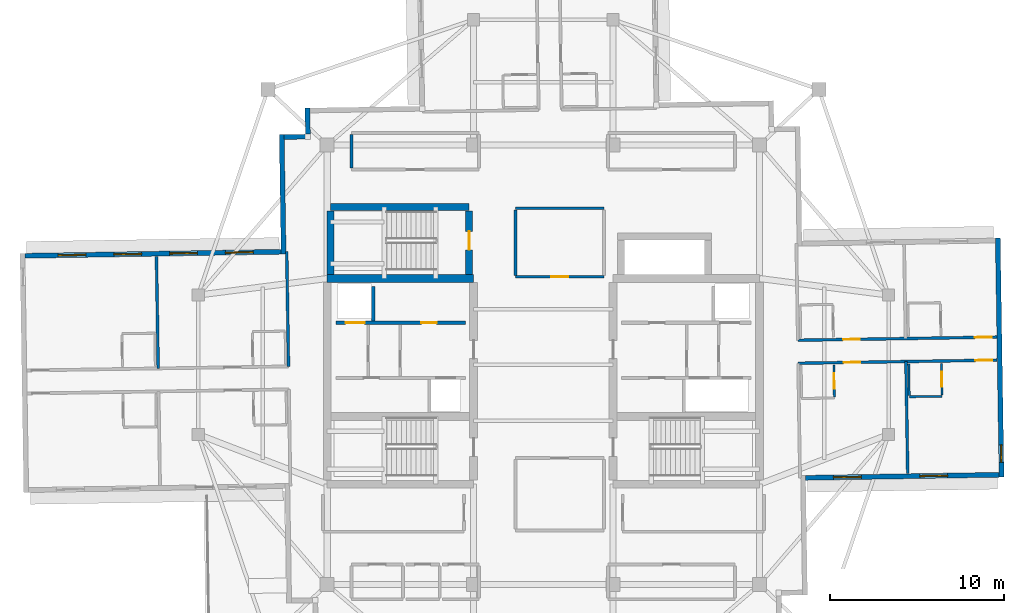
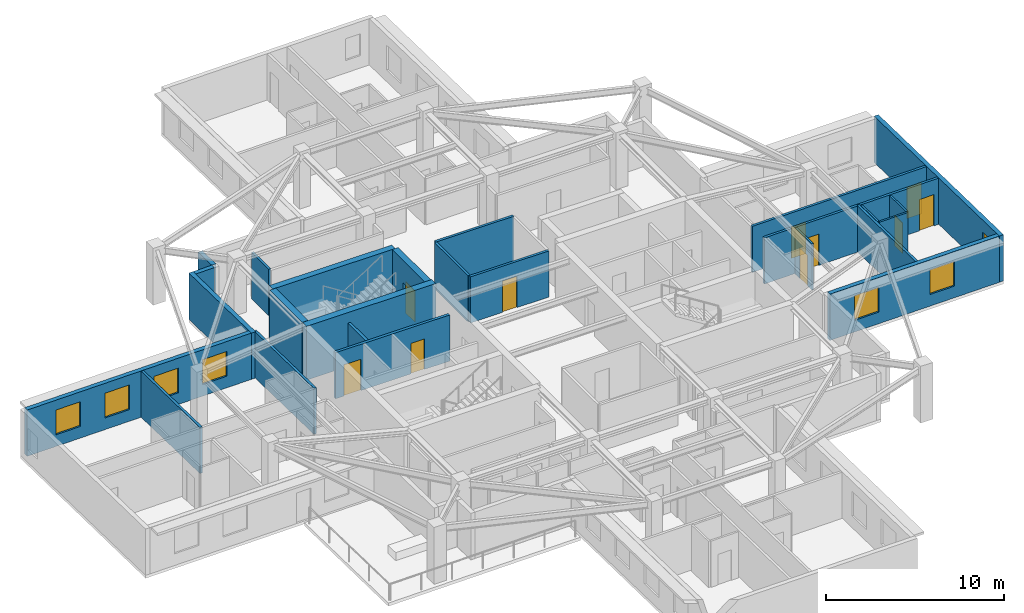
# One storey, part 6 of 12: 25 walls, 10 doors, 7 windows, 17 openings.
"""IFC4 building model written with IfcOpenShell, lengths in metres."""

import ifcopenshell
import ifcopenshell.guid

model = None  # the IFC model being written
_history = None  # IfcOwnerHistory: only IFC2X3 demands one
_inside = {}  # id of a spatial element -> (the spatial element, [elements in it])
_under = {}  # id of a project, library or spatial element -> (it, [spatial elements below it])
_declared = {}  # id of a project -> (the project, [libraries it declares])
_typed = {}  # id of a type object -> (the type object, [elements of that type])
_made_of = {}  # id of a material, layer set ... -> (it, [elements and type objects made of it])


def new_model(schema):
    """Start an empty IFC model of exactly this schema.

    Asked for "IFC4X3", IfcOpenShell would pick the latest addendum, in which some entities
    have other attributes; the version numbers below select the first issue.
    IFC2X3 requires an IfcOwnerHistory on every rooted entity: one is made here for all.
    """
    global model, _history
    if schema == "IFC4X3":
        model = ifcopenshell.file(schema_version=(4, 3, 0, 0))
    else:
        model = ifcopenshell.file(schema=schema)
    _inside.clear()
    _under.clear()
    _declared.clear()
    _typed.clear()
    _made_of.clear()
    _history = None
    if model.schema == "IFC2X3":
        org = make("IfcOrganization", Name="unknown")
        user = make(
            "IfcPersonAndOrganization",
            ThePerson=make("IfcPerson", FamilyName="unknown"),
            TheOrganization=org,
        )
        app = make(
            "IfcApplication",
            ApplicationDeveloper=org,
            Version="unknown",
            ApplicationFullName="unknown",
            ApplicationIdentifier="unknown",
        )
        _history = make(
            "IfcOwnerHistory",
            OwningUser=user,
            OwningApplication=app,
            ChangeAction="ADDED",
            CreationDate=0,
        )
    return model


def make(cls, **values):
    """One entity of the class cls with the attributes given. An attribute that is None is left unset."""
    return model.create_entity(
        cls, **{name: value for name, value in values.items() if value is not None}
    )


def rooted(cls, **values):
    """An entity with a GlobalId (a new one), such as an element, a storey or a relation."""
    return make(cls, GlobalId=ifcopenshell.guid.new(), OwnerHistory=_history, **values)


def si_unit(unit_type, name, prefix=None):
    """IfcSIUnit, for example si_unit("LENGTHUNIT", "METRE", prefix="MILLI")."""
    return make("IfcSIUnit", UnitType=unit_type, Prefix=prefix, Name=name)


def assignment(units):
    """IfcUnitAssignment: the units of a project."""
    return None if units is None else make("IfcUnitAssignment", Units=units)


def point(xyz):
    """IfcCartesianPoint."""
    return None if xyz is None else make("IfcCartesianPoint", Coordinates=xyz)


def direction(xyz):
    """IfcDirection."""
    return None if xyz is None else make("IfcDirection", DirectionRatios=xyz)


def frame(location, z_axis=None, x_axis=None):
    """IfcAxis2Placement3D, a coordinate frame: its origin and axes. An axis left out is left unset."""
    return make(
        "IfcAxis2Placement3D",
        Location=point(location),
        Axis=direction(z_axis),
        RefDirection=direction(x_axis),
    )


def frame_2d(location, x_axis=None):
    """IfcAxis2Placement2D, a coordinate frame in the plane: its origin and x axis."""
    return make(
        "IfcAxis2Placement2D", Location=point(location), RefDirection=direction(x_axis)
    )


def origin():
    """The frame at (0, 0, 0) with its axes left unset."""
    return frame((0.0, 0.0, 0.0))


def place(relative_to, where):
    """IfcLocalPlacement: puts the frame where relative to a parent placement (None: the world)."""
    return make(
        "IfcLocalPlacement", PlacementRelTo=relative_to, RelativePlacement=where
    )


def context(
    kind, dimensions, precision=None, world=None, true_north=None, identifier=None
):
    """IfcGeometricRepresentationContext, for example the 3D "Model" context."""
    return make(
        "IfcGeometricRepresentationContext",
        ContextIdentifier=identifier,
        ContextType=kind,
        CoordinateSpaceDimension=dimensions,
        Precision=precision,
        WorldCoordinateSystem=world,
        TrueNorth=true_north,
    )


def subcontext(parent, identifier, kind, view, scale=None):
    """IfcGeometricRepresentationSubContext, for example "Body" below "Model"."""
    return make(
        "IfcGeometricRepresentationSubContext",
        ContextIdentifier=identifier,
        ContextType=kind,
        ParentContext=parent,
        TargetScale=scale,
        TargetView=view,
    )


def project(units=None, contexts=None):
    """IfcProject with its units and contexts."""
    return rooted(
        "IfcProject",
        Name="project",
        RepresentationContexts=contexts,
        UnitsInContext=assignment(units),
    )


def spatial(cls, under=None, at=None, **own):
    """A site, building, storey or space (cls), placed at a placement, below another one or the project."""
    s = rooted(cls, ObjectPlacement=at, **own)
    if under is not None:
        _under.setdefault(under.id(), (under, []))[1].append(s)
    return s


def profile(cls, at=None, kind="AREA", **sizes):
    """A parametric profile (cls). Its sizes go by their IFC names, for example OverallWidth=200.0."""
    return make(cls, ProfileType=kind, Position=at, **sizes)


def rectangle(**sizes):
    """IfcRectangleProfileDef."""
    return profile("IfcRectangleProfileDef", **sizes)


def extrude(swept, where, along, depth):
    """IfcExtrudedAreaSolid: the profile swept, set in the frame where, extruded along a direction by depth."""
    return make(
        "IfcExtrudedAreaSolid",
        SweptArea=swept,
        Position=where,
        ExtrudedDirection=direction(along),
        Depth=depth,
    )


def shape(context_of_items, identifier, shape_type, items):
    """IfcShapeRepresentation: the items that make up one representation, for example the "Body"."""
    return make(
        "IfcShapeRepresentation",
        ContextOfItems=context_of_items,
        RepresentationIdentifier=identifier,
        RepresentationType=shape_type,
        Items=items,
    )


def material(Name=None, Category=None):
    """IfcMaterial."""
    return make("IfcMaterial", Name=Name, Category=Category)


def layer(
    of_material, thickness, ventilated=None, Name=None, Category=None, Priority=None
):
    """IfcMaterialLayer: one layer of a wall or slab, of a material (None: an air gap)."""
    return make(
        "IfcMaterialLayer",
        Material=of_material,
        LayerThickness=thickness,
        IsVentilated=ventilated,
        Name=Name,
        Category=Category,
        Priority=Priority,
    )


def layer_set(layers, Name=None):
    """IfcMaterialLayerSet."""
    return make("IfcMaterialLayerSet", MaterialLayers=layers, LayerSetName=Name)


def made_of(thing, what):
    """Note that an element or type object is made of a material, layer set ...; save() writes the relation."""
    if what is not None:
        _made_of.setdefault(what.id(), (what, []))[1].append(thing)
    return thing


def type_object(cls, material=None, **own):
    """A type object (cls), such as IfcWallType, which elements share."""
    return made_of(rooted(cls, **own), material)


def element(
    cls,
    number,
    at=None,
    inside=None,
    cuts=None,
    type_object=None,
    material=None,
    context=None,
    identifier="Body",
    shape_type=None,
    held_by="IfcProductDefinitionShape",
    body=None,
    shapes=None,
    **own,
):
    """One element of the class cls, such as IfcWall. Its Tag is "e" and its number.

    at: its placement. inside: the storey or other place that contains it. cuts: it is an
    opening in that element (IfcRelVoidsElement). A single representation is given by context,
    identifier, shape_type and body (its items); several are given by shapes. held_by: the class
    of the entity that holds the representations. save() writes the other relations.
    """
    e = rooted(cls, Tag="e%d" % number, ObjectPlacement=at, **own)
    if body is not None:
        shapes = [shape(context, identifier, shape_type, body)]
    if shapes is not None:
        e.Representation = make(held_by, Representations=shapes)
    if inside is not None:
        _inside.setdefault(inside.id(), (inside, []))[1].append(e)
    if cuts is not None:
        rooted(
            "IfcRelVoidsElement", RelatingBuildingElement=cuts, RelatedOpeningElement=e
        )
    if type_object is not None:
        _typed.setdefault(type_object.id(), (type_object, []))[1].append(e)
    return made_of(e, material)


def fill(opening, filler):
    """IfcRelFillsElement: the door or window that sits in an opening."""
    return rooted(
        "IfcRelFillsElement",
        RelatingOpeningElement=opening,
        RelatedBuildingElement=filler,
    )


def aggregate(whole, parts):
    """IfcRelAggregates: a whole, such as a stair, and the parts it consists of."""
    return rooted("IfcRelAggregates", RelatingObject=whole, RelatedObjects=parts)


def save(model, path):
    """Write the relations noted so far, then the file.

    IfcRelAggregates (storeys below a building ...), IfcRelContainedInSpatialStructure (elements
    in a storey), IfcRelDefinesByType, IfcRelAssociatesMaterial and IfcRelDeclares: one each for
    every whole, place, type object, material and project.
    """
    for whole, parts in _under.values():
        aggregate(whole, parts)
    for where, things in _inside.values():
        rooted(
            "IfcRelContainedInSpatialStructure",
            RelatedElements=things,
            RelatingStructure=where,
        )
    for kind, things in _typed.values():
        rooted("IfcRelDefinesByType", RelatedObjects=things, RelatingType=kind)
    for what, things in _made_of.values():
        rooted("IfcRelAssociatesMaterial", RelatedObjects=things, RelatingMaterial=what)
    for by, libraries in _declared.values():
        rooted("IfcRelDeclares", RelatingContext=by, RelatedDefinitions=libraries)
    model.write(path)


model = new_model("IFC4")

# Units and contexts
model_context = context("Model", 3, precision=1e-05, world=origin(), true_north=direction((0.0, 1.0)))
body_context = subcontext(model_context, "Body", "Model", "MODEL_VIEW")
ifc_project = project(units=[si_unit("LENGTHUNIT", "METRE"), si_unit("AREAUNIT", "SQUARE_METRE"), si_unit("VOLUMEUNIT", "CUBIC_METRE"), si_unit("PLANEANGLEUNIT", "RADIAN"), si_unit("MASSUNIT", "GRAM", prefix="KILO")], contexts=[model_context])

# Site, building, storey
site_placement = place(None, origin())
site = spatial("IfcSite", under=ifc_project, at=site_placement, CompositionType="ELEMENT")
building_placement = place(site_placement, origin())
building = spatial("IfcBuilding", under=site, at=building_placement, Name="Qingluan Cross Belvedere", CompositionType="ELEMENT")
storey_placement = place(building_placement, frame((0.0, 0.0, 269.39990234375)))
storey = spatial("IfcBuildingStorey", under=building, at=storey_placement, Name="L67", CompositionType="ELEMENT", Elevation=269.39990234375)

# Walls
ifc_material_1 = material(Name="Concrete C50", Category="concrete")
ifc_layer_1 = layer(ifc_material_1, 0.449951171875, Name="CoreShearWall_450")
ifc_layer_set_1 = layer_set([ifc_layer_1], Name="Concrete C50")
wall_type_1 = type_object("IfcWallType", Name="CoreShearWall_450", PredefinedType="SHEAR", material=ifc_layer_set_1)
wall_1_placement = place(storey_placement, frame((-12.39990234375, 4.949951171875, 0.0), z_axis=(0.0, 0.0, 1.0), x_axis=(1.0, 0.0, 0.0)))
element("IfcWall", 1, at=wall_1_placement, inside=storey, type_object=wall_type_1, Name="Split core W shear wall L67-N", PredefinedType="SHEAR", context=body_context, shape_type="SweptSolid", body=[
    extrude(rectangle(XDim=8.39990234375, YDim=0.449951171875, at=frame_2d((4.199951171875, 0.0))), origin(), (0.0, 0.0, 1.0), 3.7001953125),
])
wall_2_placement = place(storey_placement, frame((-12.219970703125, 9.0400390625, 0.0), z_axis=(0.0, 0.0, 1.0), x_axis=(1.0, 0.0, 0.0)))
element("IfcWall", 2, at=wall_2_placement, inside=storey, type_object=wall_type_1, Name="Stair ST3 structural wall N L67", PredefinedType="SHEAR", context=body_context, shape_type="SweptSolid", body=[
    extrude(rectangle(XDim=7.9599609375, YDim=0.39990234375, at=frame_2d((3.97998046875, 0.0))), origin(), (0.0, 0.0, 1.0), 3.7001953125),
])
wall_3_placement = place(storey_placement, frame((-12.219970703125, 5.179931640625, 0.0), z_axis=(0.0, 0.0, 1.0), x_axis=(0.0, 1.0, 0.0)))
element("IfcWall", 3, at=wall_3_placement, inside=storey, type_object=wall_type_1, Name="Stair ST3 structural wall W L67", PredefinedType="SHEAR", context=body_context, shape_type="SweptSolid", body=[
    extrude(rectangle(XDim=3.655029296875, YDim=0.39990234375, at=frame_2d((1.82763671875, 0.0))), origin(), (0.0, 0.0, 1.0), 3.7001953125),
])

# Wall, opening, door
wall_4_placement = place(storey_placement, frame((-4.260009765625, 5.179931640625, 0.0), z_axis=(0.0, 0.0, 1.0), x_axis=(0.0, 1.0, 0.0)))
wall_4 = element("IfcWall", 4, at=wall_4_placement, inside=storey, type_object=wall_type_1, Name="Stair ST3 structural wall E L67", PredefinedType="SHEAR", context=body_context, shape_type="SweptSolid", body=[
    extrude(rectangle(XDim=3.655029296875, YDim=0.39990234375, at=frame_2d((1.82763671875, 0.0))), origin(), (0.0, 0.0, 1.0), 3.7001953125),
])
opening_1_placement = place(wall_4_placement, frame((1.419921875, 0.0, 0.0)))
opening_1 = element("IfcOpeningElement", 5, at=opening_1_placement, cuts=wall_4, Name="Opening FD-B11", PredefinedType="OPENING", context=body_context, shape_type="SweptSolid", body=[
    extrude(rectangle(XDim=1.050048828125, YDim=2.14990234375, at=frame_2d((0.52490234375, 1.074951171875))), frame((0.0, 0.2099609375, 0.0), z_axis=(0.0, -1.0, 0.0), x_axis=(1.0, 0.0, 0.0)), (0.0, 0.0, 1.0), 0.419921875),
])
ifc_material_2 = material(Name="Steel Class B smoke-seal fire door", Category="steel")
door_type_1 = type_object("IfcDoorType", Name="StairLobbyFireDoor_FDB", OperationType="NOTDEFINED", PredefinedType="DOOR", material=ifc_material_2)
door_1_placement = place(opening_1_placement, origin())
door_1 = element("IfcDoor", 6, at=door_1_placement, inside=storey, type_object=door_type_1, Name="Smoke-proof stair ST3 fire door L67", OperationType="SINGLE_SWING_LEFT", OverallHeight=2.14990234375, OverallWidth=1.050048828125, PredefinedType="DOOR", context=body_context, shape_type="SweptSolid", body=[
    extrude(rectangle(XDim=1.050048828125, YDim=2.14990234375, at=frame_2d((0.52490234375, 1.074951171875))), frame((0.0, 0.02490234375, 0.0), z_axis=(0.0, -1.0, 0.0), x_axis=(1.0, 0.0, 0.0)), (0.0, 0.0, 1.0), 0.050048828125),
])
fill(opening_1, door_1)

# Wall
ifc_material_3 = material(Name="Gypsum plasterboard on steel stud acoustic partition", Category="steel")
ifc_layer_2 = layer(ifc_material_3, 0.159912109375, Name="CorridorPartition_160")
ifc_layer_set_2 = layer_set([ifc_layer_2], Name="Gypsum plasterboard on steel stud acoustic partition")
wall_type_2 = type_object("IfcWallType", Name="CorridorPartition_160", PredefinedType="PARTITIONING", material=ifc_layer_set_2)
wall_5_placement = place(storey_placement, frame((-11.0, 11.284912109375, 0.0), z_axis=(0.0, 0.0, 1.0), x_axis=(0.0, 1.0, 0.0)))
element("IfcWall", 7, at=wall_5_placement, inside=storey, type_object=wall_type_2, Name="Partition L67:q_nw_occ:W", PredefinedType="PARTITIONING", context=body_context, shape_type="SweptSolid", body=[
    extrude(rectangle(XDim=1.93017578125, YDim=0.159912109375, at=frame_2d((0.965087890625, 0.0))), origin(), (0.0, 0.0, 1.0), 3.170166015625),
])

# Wall, opening, door
wall_6_placement = place(storey_placement, frame((-1.60009765625, 5.050048828125, 0.0), z_axis=(0.0, 0.0, 1.0), x_axis=(1.0, 0.0, 0.0)))
wall_6 = element("IfcWall", 8, at=wall_6_placement, inside=storey, type_object=wall_type_2, Name="Partition L67:sky_tea_alcove:S", PredefinedType="PARTITIONING", context=body_context, shape_type="SweptSolid", body=[
    extrude(rectangle(XDim=5.080078125, YDim=0.159912109375, at=frame_2d((2.5400390625, 0.0))), origin(), (0.0, 0.0, 1.0), 3.170166015625),
])
opening_2_placement = place(wall_6_placement, frame((2.06005859375, 0.0, 0.0)))
opening_2 = element("IfcOpeningElement", 9, at=opening_2_placement, cuts=wall_6, Name="Opening GD-10", PredefinedType="OPENING", context=body_context, shape_type="SweptSolid", body=[
    extrude(rectangle(XDim=0.9599609375, YDim=2.14990234375, at=frame_2d((0.47998046875, 1.074951171875))), frame((0.0, 0.08984375, 0.0), z_axis=(0.0, -1.0, 0.0), x_axis=(1.0, 0.0, 0.0)), (0.0, 0.0, 1.0), 0.179931640625),
])
ifc_material_4 = material(Name="Timber oak fire-rated acoustic guestroom door", Category="wood")
door_type_2 = type_object("IfcDoorType", Name="GuestEntryDoor_FD60", OperationType="NOTDEFINED", PredefinedType="DOOR", material=ifc_material_4)
door_2_placement = place(opening_2_placement, origin())
door_2 = element("IfcDoor", 10, at=door_2_placement, inside=storey, type_object=door_type_2, Name="Sky horizon tea salon L67 door", OperationType="SINGLE_SWING_RIGHT", OverallHeight=2.14990234375, OverallWidth=0.9599609375, PredefinedType="DOOR", context=body_context, shape_type="SweptSolid", body=[
    extrude(rectangle(XDim=0.9599609375, YDim=2.14990234375, at=frame_2d((0.47998046875, 1.074951171875))), frame((0.0, 0.02490234375, 0.0), z_axis=(0.0, -1.0, 0.0), x_axis=(1.0, 0.0, 0.0)), (0.0, 0.0, 1.0), 0.050048828125),
])
fill(opening_2, door_2)

# Walls
wall_7_placement = place(storey_placement, frame((-1.60009765625, 8.97998046875, 0.0), z_axis=(0.0, 0.0, 1.0), x_axis=(1.0, 0.0, 0.0)))
element("IfcWall", 11, at=wall_7_placement, inside=storey, type_object=wall_type_2, Name="Partition L67:sky_tea_alcove:N", PredefinedType="PARTITIONING", context=body_context, shape_type="SweptSolid", body=[
    extrude(rectangle(XDim=5.080078125, YDim=0.159912109375, at=frame_2d((2.5400390625, 0.0))), origin(), (0.0, 0.0, 1.0), 3.170166015625),
])
wall_8_placement = place(storey_placement, frame((-1.60009765625, 5.135009765625, 0.0), z_axis=(0.0, 0.0, 1.0), x_axis=(0.0, 1.0, 0.0)))
element("IfcWall", 12, at=wall_8_placement, inside=storey, type_object=wall_type_2, Name="Partition L67:sky_tea_alcove:W", PredefinedType="PARTITIONING", context=body_context, shape_type="SweptSolid", body=[
    extrude(rectangle(XDim=3.760009765625, YDim=0.159912109375, at=frame_2d((1.8798828125, 0.0))), origin(), (0.0, 0.0, 1.0), 3.170166015625),
])

# Wall, openings, doors
wall_9_placement = place(storey_placement, frame((14.599609375, 1.409423828125, 0.0), z_axis=(0.0, 0.0, 1.0), x_axis=(0.999876369994, 0.015724017543, 0.0)))
wall_9 = element("IfcWall", 13, at=wall_9_placement, inside=storey, type_object=wall_type_2, Name="Partition L67:E:c0", PredefinedType="PARTITIONING", context=body_context, shape_type="SweptSolid", body=[
    extrude(rectangle(XDim=11.412109375, YDim=0.159912109375, at=frame_2d((5.7060546875, 0.0))), origin(), (0.0, 0.0, 1.0), 3.170166015625),
])
opening_3_placement = place(wall_9_placement, frame((2.597900390625, 0.0, 0.0)))
opening_3 = element("IfcOpeningElement", 14, at=opening_3_placement, cuts=wall_9, Name="Opening GD-10", PredefinedType="OPENING", context=body_context, shape_type="SweptSolid", body=[
    extrude(rectangle(XDim=0.9599609375, YDim=2.14990234375, at=frame_2d((0.47998046875, 1.074951171875))), frame((0.0, 0.08984375, 0.0), z_axis=(0.0, -1.0, 0.0), x_axis=(1.0, 0.0, 0.0)), (0.0, 0.0, 1.0), 0.179931640625),
])
opening_4_placement = place(wall_9_placement, frame((10.159912109375, 0.0, 0.0)))
opening_4 = element("IfcOpeningElement", 15, at=opening_4_placement, cuts=wall_9, Name="Opening GD-10", PredefinedType="OPENING", context=body_context, shape_type="SweptSolid", body=[
    extrude(rectangle(XDim=0.9599609375, YDim=2.14990234375, at=frame_2d((0.47998046875, 1.074951171875))), frame((0.0, 0.08984375, 0.0), z_axis=(0.0, -1.0, 0.0), x_axis=(1.0, 0.0, 0.0)), (0.0, 0.0, 1.0), 0.179931640625),
])
door_3_placement = place(opening_3_placement, origin())
door_3 = element("IfcDoor", 16, at=door_3_placement, inside=storey, type_object=door_type_2, Name="Guest entry fire door 6701", OperationType="SINGLE_SWING_RIGHT", OverallHeight=2.14990234375, OverallWidth=0.9599609375, PredefinedType="DOOR", context=body_context, shape_type="SweptSolid", body=[
    extrude(rectangle(XDim=0.9599609375, YDim=2.14990234375, at=frame_2d((0.47998046875, 1.074951171875))), frame((0.0, 0.02490234375, 0.0), z_axis=(0.0, -1.0, 0.0), x_axis=(1.0, 0.0, 0.0)), (0.0, 0.0, 1.0), 0.050048828125),
])
fill(opening_3, door_3)
door_4_placement = place(opening_4_placement, origin())
door_4 = element("IfcDoor", 17, at=door_4_placement, inside=storey, type_object=door_type_2, Name="Guest entry fire door 6702", OperationType="SINGLE_SWING_RIGHT", OverallHeight=2.14990234375, OverallWidth=0.9599609375, PredefinedType="DOOR", context=body_context, shape_type="SweptSolid", body=[
    extrude(rectangle(XDim=0.9599609375, YDim=2.14990234375, at=frame_2d((0.47998046875, 1.074951171875))), frame((0.0, 0.02490234375, 0.0), z_axis=(0.0, -1.0, 0.0), x_axis=(1.0, 0.0, 0.0)), (0.0, 0.0, 1.0), 0.050048828125),
])
fill(opening_4, door_4)

wall_10_placement = place(storey_placement, frame((14.620361328125, 0.089599609375, 0.0), z_axis=(0.0, 0.0, 1.0), x_axis=(0.999876706111, 0.015702629601, 0.0)))
wall_10 = element("IfcWall", 18, at=wall_10_placement, inside=storey, type_object=wall_type_2, Name="Partition L67:E:c1", PredefinedType="PARTITIONING", context=body_context, shape_type="SweptSolid", body=[
    extrude(rectangle(XDim=11.412109375, YDim=0.159912109375, at=frame_2d((5.7060546875, 0.0))), origin(), (0.0, 0.0, 1.0), 3.170166015625),
])
opening_5_placement = place(wall_10_placement, frame((2.597900390625, 0.0, 0.0)))
opening_5 = element("IfcOpeningElement", 19, at=opening_5_placement, cuts=wall_10, Name="Opening GD-10", PredefinedType="OPENING", context=body_context, shape_type="SweptSolid", body=[
    extrude(rectangle(XDim=0.9599609375, YDim=2.14990234375, at=frame_2d((0.47998046875, 1.074951171875))), frame((0.0, 0.08984375, 0.0), z_axis=(0.0, -1.0, 0.0), x_axis=(1.0, 0.0, 0.0)), (0.0, 0.0, 1.0), 0.179931640625),
])
opening_6_placement = place(wall_10_placement, frame((10.159912109375, 0.0, 0.0)))
opening_6 = element("IfcOpeningElement", 20, at=opening_6_placement, cuts=wall_10, Name="Opening GD-10", PredefinedType="OPENING", context=body_context, shape_type="SweptSolid", body=[
    extrude(rectangle(XDim=0.9599609375, YDim=2.14990234375, at=frame_2d((0.47998046875, 1.074951171875))), frame((0.0, 0.08984375, 0.0), z_axis=(0.0, -1.0, 0.0), x_axis=(1.0, 0.0, 0.0)), (0.0, 0.0, 1.0), 0.179931640625),
])
door_5_placement = place(opening_5_placement, origin())
door_5 = element("IfcDoor", 21, at=door_5_placement, inside=storey, type_object=door_type_2, Name="Guest entry fire door 6703", OperationType="SINGLE_SWING_RIGHT", OverallHeight=2.14990234375, OverallWidth=0.9599609375, PredefinedType="DOOR", context=body_context, shape_type="SweptSolid", body=[
    extrude(rectangle(XDim=0.9599609375, YDim=2.14990234375, at=frame_2d((0.47998046875, 1.074951171875))), frame((0.0, 0.02490234375, 0.0), z_axis=(0.0, -1.0, 0.0), x_axis=(1.0, 0.0, 0.0)), (0.0, 0.0, 1.0), 0.050048828125),
])
fill(opening_5, door_5)
door_6_placement = place(opening_6_placement, origin())
door_6 = element("IfcDoor", 22, at=door_6_placement, inside=storey, type_object=door_type_2, Name="Guest entry fire door 6704", OperationType="SINGLE_SWING_RIGHT", OverallHeight=2.14990234375, OverallWidth=0.9599609375, PredefinedType="DOOR", context=body_context, shape_type="SweptSolid", body=[
    extrude(rectangle(XDim=0.9599609375, YDim=2.14990234375, at=frame_2d((0.47998046875, 1.074951171875))), frame((0.0, 0.02490234375, 0.0), z_axis=(0.0, -1.0, 0.0), x_axis=(1.0, 0.0, 0.0)), (0.0, 0.0, 1.0), 0.050048828125),
])
fill(opening_6, door_6)

# Walls
wall_11_placement = place(storey_placement, frame((20.799560546875, 0.186767578125, 0.0), z_axis=(0.0, 0.0, 1.0), x_axis=(0.015714405882, -0.9998765211, 0.0)))
element("IfcWall", 23, at=wall_11_placement, inside=storey, type_object=wall_type_2, Name="Partition L67:E:d1_0", PredefinedType="PARTITIONING", context=body_context, shape_type="SweptSolid", body=[
    extrude(rectangle(XDim=6.431884765625, YDim=0.159912109375, at=frame_2d((3.2158203125, 0.0))), origin(), (0.0, 0.0, 1.0), 3.170166015625),
])
wall_12_placement = place(storey_placement, frame((-14.620361328125, -0.089599609375, 0.0), z_axis=(0.0, 0.0, 1.0), x_axis=(-0.015694964287, 0.999876826462, 0.0)))
element("IfcWall", 24, at=wall_12_placement, inside=storey, type_object=wall_type_2, Name="Partition L67:W:s0", PredefinedType="PARTITIONING", context=body_context, shape_type="SweptSolid", body=[
    extrude(rectangle(XDim=6.579833984375, YDim=0.159912109375, at=frame_2d((3.2900390625, 0.0))), origin(), (0.0, 0.0, 1.0), 3.170166015625),
])
wall_13_placement = place(storey_placement, frame((-22.096435546875, -0.20703125, 0.0), z_axis=(0.0, 0.0, 1.0), x_axis=(-0.015714405882, 0.9998765211, 0.0)))
element("IfcWall", 25, at=wall_13_placement, inside=storey, type_object=wall_type_2, Name="Partition L67:W:d0_0", PredefinedType="PARTITIONING", context=body_context, shape_type="SweptSolid", body=[
    extrude(rectangle(XDim=6.431884765625, YDim=0.159912109375, at=frame_2d((3.2158203125, 0.0))), origin(), (0.0, 0.0, 1.0), 3.170166015625),
])

# Wall, opening, door
ifc_material_5 = material(Name="Moisture-resistant gypsum board lining")
ifc_layer_3 = layer(ifc_material_5, 0.1201171875, Name="EnsuiteWetPartition_120")
ifc_layer_set_3 = layer_set([ifc_layer_3], Name="Moisture-resistant gypsum board lining")
wall_type_3 = type_object("IfcWallType", Name="EnsuiteWetPartition_120", PredefinedType="PARTITIONING", material=ifc_layer_set_3)
wall_14_placement = place(storey_placement, frame((16.69091796875, -1.838134765625, 0.0), z_axis=(0.0, 0.0, 1.0), x_axis=(-0.015694337248, 0.999876836305, 0.0)))
wall_14 = element("IfcWall", 26, at=wall_14_placement, inside=storey, type_object=wall_type_3, Name="Partition L67:E:bs1_0", PredefinedType="PARTITIONING", context=body_context, shape_type="SweptSolid", body=[
    extrude(rectangle(XDim=1.820068359375, YDim=0.1201171875, at=frame_2d((0.91015625, 0.0))), origin(), (0.0, 0.0, 1.0), 3.170166015625),
])
opening_7_placement = place(wall_14_placement, frame((0.469970703125, 0.0, 0.0)))
opening_7 = element("IfcOpeningElement", 27, at=opening_7_placement, cuts=wall_14, Name="Opening BD-09", PredefinedType="OPENING", context=body_context, shape_type="SweptSolid", body=[
    extrude(rectangle(XDim=0.8798828125, YDim=2.10009765625, at=frame_2d((0.43994140625, 1.050048828125))), frame((0.0, 0.070068359375, 0.0), z_axis=(0.0, -1.0, 0.0), x_axis=(1.0, 0.0, 0.0)), (0.0, 0.0, 1.0), 0.14013671875),
])
ifc_material_6 = material(Name="Moisture-sealed timber en-suite door", Category="wood")
door_type_3 = type_object("IfcDoorType", Name="BathroomDoor_880", OperationType="NOTDEFINED", PredefinedType="DOOR", material=ifc_material_6)
door_7_placement = place(opening_7_placement, origin())
door_7 = element("IfcDoor", 28, at=door_7_placement, inside=storey, type_object=door_type_3, Name="Bathroom door 6703", OperationType="SINGLE_SWING_LEFT", OverallHeight=2.10009765625, OverallWidth=0.8798828125, PredefinedType="DOOR", context=body_context, shape_type="SweptSolid", body=[
    extrude(rectangle(XDim=0.8798828125, YDim=2.10009765625, at=frame_2d((0.43994140625, 1.050048828125))), frame((0.0, 0.02490234375, 0.0), z_axis=(0.0, -1.0, 0.0), x_axis=(1.0, 0.0, 0.0)), (0.0, 0.0, 1.0), 0.050048828125),
])
fill(opening_7, door_7)

wall_15_placement = place(storey_placement, frame((22.8701171875, -1.740966796875, 0.0), z_axis=(0.0, 0.0, 1.0), x_axis=(-0.015694337248, 0.999876836305, 0.0)))
wall_15 = element("IfcWall", 29, at=wall_15_placement, inside=storey, type_object=wall_type_3, Name="Partition L67:E:bs1_1", PredefinedType="PARTITIONING", context=body_context, shape_type="SweptSolid", body=[
    extrude(rectangle(XDim=1.820068359375, YDim=0.1201171875, at=frame_2d((0.91015625, 0.0))), origin(), (0.0, 0.0, 1.0), 3.170166015625),
])
opening_8_placement = place(wall_15_placement, frame((0.469970703125, 0.0, 0.0)))
opening_8 = element("IfcOpeningElement", 30, at=opening_8_placement, cuts=wall_15, Name="Opening BD-09", PredefinedType="OPENING", context=body_context, shape_type="SweptSolid", body=[
    extrude(rectangle(XDim=0.8798828125, YDim=2.10009765625, at=frame_2d((0.43994140625, 1.050048828125))), frame((0.0, 0.070068359375, 0.0), z_axis=(0.0, -1.0, 0.0), x_axis=(1.0, 0.0, 0.0)), (0.0, 0.0, 1.0), 0.14013671875),
])
door_8_placement = place(opening_8_placement, origin())
door_8 = element("IfcDoor", 31, at=door_8_placement, inside=storey, type_object=door_type_3, Name="Bathroom door 6704", OperationType="SINGLE_SWING_LEFT", OverallHeight=2.10009765625, OverallWidth=0.8798828125, PredefinedType="DOOR", context=body_context, shape_type="SweptSolid", body=[
    extrude(rectangle(XDim=0.8798828125, YDim=2.10009765625, at=frame_2d((0.43994140625, 1.050048828125))), frame((0.0, 0.02490234375, 0.0), z_axis=(0.0, -1.0, 0.0), x_axis=(1.0, 0.0, 0.0)), (0.0, 0.0, 1.0), 0.050048828125),
])
fill(opening_8, door_8)

# Walls
wall_16_placement = place(storey_placement, frame((20.990478515625, -1.7705078125, 0.0), z_axis=(0.0, 0.0, 1.0), x_axis=(-0.015694337248, 0.999876836305, 0.0)))
element("IfcWall", 32, at=wall_16_placement, inside=storey, type_object=wall_type_3, Name="Partition L67:E:bw1_1", PredefinedType="PARTITIONING", context=body_context, shape_type="SweptSolid", body=[
    extrude(rectangle(XDim=1.820068359375, YDim=0.1201171875, at=frame_2d((0.91015625, 0.0))), origin(), (0.0, 0.0, 1.0), 3.170166015625),
])
wall_17_placement = place(storey_placement, frame((20.991455078125, -1.83544921875, 0.0), z_axis=(0.0, 0.0, 1.0), x_axis=(0.99987652141, 0.015714386166, 0.0)))
element("IfcWall", 33, at=wall_17_placement, inside=storey, type_object=wall_type_3, Name="Partition L67:E:bc1_1", PredefinedType="PARTITIONING", context=body_context, shape_type="SweptSolid", body=[
    extrude(rectangle(XDim=1.8798828125, YDim=0.1201171875, at=frame_2d((0.93994140625, 0.0))), origin(), (0.0, 0.0, 1.0), 3.170166015625),
])

# Wall, openings, windows
ifc_material_7 = material(Name="Precast concrete C45", Category="concrete")
ifc_layer_4 = layer(ifc_material_7, 0.280029296875, Name="PrecastFacadeWall_280")
ifc_layer_set_4 = layer_set([ifc_layer_4], Name="Precast concrete C45")
wall_type_4 = type_object("IfcWallType", Name="PrecastFacadeWall_280", PredefinedType="STANDARD", material=ifc_layer_set_4)
wall_18_placement = place(storey_placement, frame((15.043701171875, -6.484619140625, 0.0), z_axis=(0.0, 0.0, 1.0), x_axis=(0.999876681786, 0.015704178416, 0.0)))
wall_18 = element("IfcWall", 34, at=wall_18_placement, inside=storey, type_object=wall_type_4, Name="Facade wall L67-EA", PredefinedType="STANDARD", context=body_context, shape_type="SweptSolid", body=[
    extrude(rectangle(XDim=11.10009765625, YDim=0.280029296875, at=frame_2d((5.550048828125, 0.0))), origin(), (0.0, 0.0, 1.0), 3.18017578125),
])
opening_9_placement = place(wall_18_placement, frame((1.60009765625, 0.0, 0.800048828125)))
opening_9 = element("IfcOpeningElement", 35, at=opening_9_placement, cuts=wall_18, Name="Opening W-04", PredefinedType="OPENING", context=body_context, shape_type="SweptSolid", body=[
    extrude(rectangle(XDim=1.60009765625, YDim=1.699951171875, at=frame_2d((0.800048828125, 0.85009765625))), frame((0.0, 0.14990234375, 0.0), z_axis=(0.0, -1.0, 0.0), x_axis=(1.0, 0.0, 0.0)), (0.0, 0.0, 1.0), 0.300048828125),
])
opening_10_placement = place(wall_18_placement, frame((6.550048828125, 0.0, 0.800048828125)))
opening_10 = element("IfcOpeningElement", 36, at=opening_10_placement, cuts=wall_18, Name="Opening W-04", PredefinedType="OPENING", context=body_context, shape_type="SweptSolid", body=[
    extrude(rectangle(XDim=1.60009765625, YDim=1.699951171875, at=frame_2d((0.800048828125, 0.85009765625))), frame((0.0, 0.14990234375, 0.0), z_axis=(0.0, -1.0, 0.0), x_axis=(1.0, 0.0, 0.0)), (0.0, 0.0, 1.0), 0.300048828125),
])
ifc_material_8 = material(Name="Thermally broken triple Low-E glass in aluminium frame", Category="aluminium")
window_type_1 = type_object("IfcWindowType", Name="SuiteCornerWin_1600x1700", PartitioningType="SINGLE_PANEL", PredefinedType="WINDOW", material=ifc_material_8)
window_1_placement = place(opening_9_placement, origin())
window_1 = element("IfcWindow", 37, at=window_1_placement, inside=storey, type_object=window_type_1, Name="Ribbon window L67-EA-1", OverallHeight=1.699951171875, OverallWidth=1.60009765625, PartitioningType="SINGLE_PANEL", PredefinedType="WINDOW", context=body_context, shape_type="SweptSolid", body=[
    extrude(rectangle(XDim=1.60009765625, YDim=1.699951171875, at=frame_2d((0.800048828125, 0.85009765625))), frame((0.0, 0.030029296875, 0.0), z_axis=(0.0, -1.0, 0.0), x_axis=(1.0, 0.0, 0.0)), (0.0, 0.0, 1.0), 0.06005859375),
])
fill(opening_9, window_1)
window_2_placement = place(opening_10_placement, origin())
window_2 = element("IfcWindow", 38, at=window_2_placement, inside=storey, type_object=window_type_1, Name="Ribbon window L67-EA-2", OverallHeight=1.699951171875, OverallWidth=1.60009765625, PartitioningType="SINGLE_PANEL", PredefinedType="WINDOW", context=body_context, shape_type="SweptSolid", body=[
    extrude(rectangle(XDim=1.60009765625, YDim=1.699951171875, at=frame_2d((0.800048828125, 0.85009765625))), frame((0.0, 0.030029296875, 0.0), z_axis=(0.0, -1.0, 0.0), x_axis=(1.0, 0.0, 0.0)), (0.0, 0.0, 1.0), 0.06005859375),
])
fill(opening_10, window_2)

# Wall, opening, window
wall_19_placement = place(storey_placement, frame((26.284423828125, -6.447998046875, 0.0), z_axis=(0.0, 0.0, 1.0), x_axis=(-0.015694530564, 0.99987683327, 0.0)))
wall_19 = element("IfcWall", 39, at=wall_19_placement, inside=storey, type_object=wall_type_4, Name="Arm tip precast facade wall L67-E", PredefinedType="STANDARD", context=body_context, shape_type="SweptSolid", body=[
    extrude(rectangle(XDim=13.72021484375, YDim=0.280029296875, at=frame_2d((6.860107421875, 0.0))), origin(), (0.0, 0.0, 1.0), 3.18017578125),
])
opening_11_placement = place(wall_19_placement, frame((0.85009765625, 0.0, 0.85009765625)))
opening_11 = element("IfcOpeningElement", 40, at=opening_11_placement, cuts=wall_19, Name="Opening W-03", PredefinedType="OPENING", context=body_context, shape_type="SweptSolid", body=[
    extrude(rectangle(XDim=1.0, YDim=1.5, at=frame_2d((0.5, 0.75))), frame((0.0, 0.14990234375, 0.0), z_axis=(0.0, -1.0, 0.0), x_axis=(1.0, 0.0, 0.0)), (0.0, 0.0, 1.0), 0.300048828125),
])
ifc_material_9 = material(Name="Thermally broken triple Low-E glass in aluminium frame", Category="aluminium")
window_type_2 = type_object("IfcWindowType", Name="TriApexWin_1000x1500", PartitioningType="SINGLE_PANEL", PredefinedType="WINDOW", material=ifc_material_9)
window_3_placement = place(opening_11_placement, origin())
window_3 = element("IfcWindow", 41, at=window_3_placement, inside=storey, type_object=window_type_2, Name="Arm tip triangular window L67-E", OverallHeight=1.5, OverallWidth=1.0, PartitioningType="SINGLE_PANEL", PredefinedType="WINDOW", context=body_context, shape_type="SweptSolid", body=[
    extrude(rectangle(XDim=1.0, YDim=1.5, at=frame_2d((0.5, 0.75))), frame((0.0, 0.030029296875, 0.0), z_axis=(0.0, -1.0, 0.0), x_axis=(1.0, 0.0, 0.0)), (0.0, 0.0, 1.0), 0.06005859375),
])
fill(opening_11, window_3)

# Wall, openings, windows
wall_20_placement = place(storey_placement, frame((-15.043701171875, 6.484619140625, 0.0), z_axis=(0.0, 0.0, 1.0), x_axis=(-0.999876569875, -0.015711302158, 0.0)))
wall_20 = element("IfcWall", 42, at=wall_20_placement, inside=storey, type_object=wall_type_4, Name="Facade wall L67-WA", PredefinedType="STANDARD", context=body_context, shape_type="SweptSolid", body=[
    extrude(rectangle(XDim=14.699951171875, YDim=0.280029296875, at=frame_2d((7.35009765625, 0.0))), origin(), (0.0, 0.0, 1.0), 3.18017578125),
])
opening_12_placement = place(wall_20_placement, frame((1.60009765625, 0.0, 0.800048828125)))
opening_12 = element("IfcOpeningElement", 43, at=opening_12_placement, cuts=wall_20, Name="Opening W-04", PredefinedType="OPENING", context=body_context, shape_type="SweptSolid", body=[
    extrude(rectangle(XDim=1.60009765625, YDim=1.699951171875, at=frame_2d((0.800048828125, 0.85009765625))), frame((0.0, 0.14990234375, 0.0), z_axis=(0.0, -1.0, 0.0), x_axis=(1.0, 0.0, 0.0)), (0.0, 0.0, 1.0), 0.300048828125),
])
opening_13_placement = place(wall_20_placement, frame((4.800048828125, 0.0, 0.800048828125)))
opening_13 = element("IfcOpeningElement", 44, at=opening_13_placement, cuts=wall_20, Name="Opening W-04", PredefinedType="OPENING", context=body_context, shape_type="SweptSolid", body=[
    extrude(rectangle(XDim=1.60009765625, YDim=1.699951171875, at=frame_2d((0.800048828125, 0.85009765625))), frame((0.0, 0.14990234375, 0.0), z_axis=(0.0, -1.0, 0.0), x_axis=(1.0, 0.0, 0.0)), (0.0, 0.0, 1.0), 0.300048828125),
])
opening_14_placement = place(wall_20_placement, frame((8.0, 0.0, 0.800048828125)))
opening_14 = element("IfcOpeningElement", 45, at=opening_14_placement, cuts=wall_20, Name="Opening W-04", PredefinedType="OPENING", context=body_context, shape_type="SweptSolid", body=[
    extrude(rectangle(XDim=1.60009765625, YDim=1.699951171875, at=frame_2d((0.800048828125, 0.85009765625))), frame((0.0, 0.14990234375, 0.0), z_axis=(0.0, -1.0, 0.0), x_axis=(1.0, 0.0, 0.0)), (0.0, 0.0, 1.0), 0.300048828125),
])
opening_15_placement = place(wall_20_placement, frame((11.199951171875, 0.0, 0.800048828125)))
opening_15 = element("IfcOpeningElement", 46, at=opening_15_placement, cuts=wall_20, Name="Opening W-04", PredefinedType="OPENING", context=body_context, shape_type="SweptSolid", body=[
    extrude(rectangle(XDim=1.60009765625, YDim=1.699951171875, at=frame_2d((0.800048828125, 0.85009765625))), frame((0.0, 0.14990234375, 0.0), z_axis=(0.0, -1.0, 0.0), x_axis=(1.0, 0.0, 0.0)), (0.0, 0.0, 1.0), 0.300048828125),
])
window_4_placement = place(opening_12_placement, origin())
window_4 = element("IfcWindow", 47, at=window_4_placement, inside=storey, type_object=window_type_1, Name="Ribbon window L67-WA-1", OverallHeight=1.699951171875, OverallWidth=1.60009765625, PartitioningType="SINGLE_PANEL", PredefinedType="WINDOW", context=body_context, shape_type="SweptSolid", body=[
    extrude(rectangle(XDim=1.60009765625, YDim=1.699951171875, at=frame_2d((0.800048828125, 0.85009765625))), frame((0.0, 0.030029296875, 0.0), z_axis=(0.0, -1.0, 0.0), x_axis=(1.0, 0.0, 0.0)), (0.0, 0.0, 1.0), 0.06005859375),
])
fill(opening_12, window_4)
window_5_placement = place(opening_13_placement, origin())
window_5 = element("IfcWindow", 48, at=window_5_placement, inside=storey, type_object=window_type_1, Name="Ribbon window L67-WA-2", OverallHeight=1.699951171875, OverallWidth=1.60009765625, PartitioningType="SINGLE_PANEL", PredefinedType="WINDOW", context=body_context, shape_type="SweptSolid", body=[
    extrude(rectangle(XDim=1.60009765625, YDim=1.699951171875, at=frame_2d((0.800048828125, 0.85009765625))), frame((0.0, 0.030029296875, 0.0), z_axis=(0.0, -1.0, 0.0), x_axis=(1.0, 0.0, 0.0)), (0.0, 0.0, 1.0), 0.06005859375),
])
fill(opening_13, window_5)
window_6_placement = place(opening_14_placement, origin())
window_6 = element("IfcWindow", 49, at=window_6_placement, inside=storey, type_object=window_type_1, Name="Ribbon window L67-WA-3", OverallHeight=1.699951171875, OverallWidth=1.60009765625, PartitioningType="SINGLE_PANEL", PredefinedType="WINDOW", context=body_context, shape_type="SweptSolid", body=[
    extrude(rectangle(XDim=1.60009765625, YDim=1.699951171875, at=frame_2d((0.800048828125, 0.85009765625))), frame((0.0, 0.030029296875, 0.0), z_axis=(0.0, -1.0, 0.0), x_axis=(1.0, 0.0, 0.0)), (0.0, 0.0, 1.0), 0.06005859375),
])
fill(opening_14, window_6)
window_7_placement = place(opening_15_placement, origin())
window_7 = element("IfcWindow", 50, at=window_7_placement, inside=storey, type_object=window_type_1, Name="Ribbon window L67-WA-4", OverallHeight=1.699951171875, OverallWidth=1.60009765625, PartitioningType="SINGLE_PANEL", PredefinedType="WINDOW", context=body_context, shape_type="SweptSolid", body=[
    extrude(rectangle(XDim=1.60009765625, YDim=1.699951171875, at=frame_2d((0.800048828125, 0.85009765625))), frame((0.0, 0.030029296875, 0.0), z_axis=(0.0, -1.0, 0.0), x_axis=(1.0, 0.0, 0.0)), (0.0, 0.0, 1.0), 0.06005859375),
])
fill(opening_15, window_7)

# Walls
wall_21_placement = place(storey_placement, frame((-14.901611328125, 6.3466796875, 0.0), z_axis=(0.0, 0.0, 1.0), x_axis=(-0.015694809807, 0.999876828887, 0.0)))
element("IfcWall", 51, at=wall_21_placement, inside=storey, type_object=wall_type_4, Name="Corner wall L67-NW1", PredefinedType="STANDARD", context=body_context, shape_type="SweptSolid", body=[
    extrude(rectangle(XDim=6.85986328125, YDim=0.280029296875, at=frame_2d((3.429931640625, 0.0))), origin(), (0.0, 0.0, 1.0), 3.18017578125),
])
wall_22_placement = place(storey_placement, frame((-14.8671875, 13.068115234375, 0.0), z_axis=(0.0, 0.0, 1.0), x_axis=(0.999875053502, 0.015807510352, 0.0)))
element("IfcWall", 52, at=wall_22_placement, inside=storey, type_object=wall_type_4, Name="Corner wall L67-NW2", PredefinedType="STANDARD", context=body_context, shape_type="SweptSolid", body=[
    extrude(rectangle(XDim=1.22021484375, YDim=0.280029296875, at=frame_2d((0.610107421875, 0.0))), origin(), (0.0, 0.0, 1.0), 3.18017578125),
])
wall_23_placement = place(storey_placement, frame((-13.509521484375, 13.2294921875, 0.0), z_axis=(0.0, 0.0, 1.0), x_axis=(-0.015625635615, 0.999877912303, 0.0)))
element("IfcWall", 53, at=wall_23_placement, inside=storey, type_object=wall_type_4, Name="Corner wall L67-NW3", PredefinedType="STANDARD", context=body_context, shape_type="SweptSolid", body=[
    extrude(rectangle(XDim=1.5, YDim=0.280029296875, at=frame_2d((0.75, 0.0))), origin(), (0.0, 0.0, 1.0), 3.18017578125),
])

# Wall, openings, doors
ifc_material_10 = material(Name="Concrete C40", Category="concrete")
ifc_layer_5 = layer(ifc_material_10, 0.219970703125, Name="ShaftEnclosureWall_250")
ifc_layer_set_5 = layer_set([ifc_layer_5], Name="Concrete C40")
wall_type_5 = type_object("IfcWallType", Name="ShaftEnclosureWall_250", PredefinedType="SOLIDWALL", material=ifc_layer_set_5)
wall_24_placement = place(storey_placement, frame((-11.89990234375, 2.409912109375, 0.0), z_axis=(0.0, 0.0, 1.0), x_axis=(1.0, 0.0, 0.0)))
wall_24 = element("IfcWall", 54, at=wall_24_placement, inside=storey, type_object=wall_type_5, Name="Core-W north hoistway wall L67", PredefinedType="SOLIDWALL", context=body_context, shape_type="SweptSolid", body=[
    extrude(rectangle(XDim=7.419921875, YDim=0.179931640625, at=frame_2d((3.7099609375, 0.0))), origin(), (0.0, 0.0, 1.0), 3.170166015625),
])
opening_16_placement = place(wall_24_placement, frame((0.550048828125, 0.0, 0.0)))
opening_16 = element("IfcOpeningElement", 55, at=opening_16_placement, cuts=wall_24, Name="Opening LD-11", PredefinedType="OPENING", context=body_context, shape_type="SweptSolid", body=[
    extrude(rectangle(XDim=1.10009765625, YDim=2.14990234375, at=frame_2d((0.550048828125, 1.074951171875))), frame((0.0, 0.099853515625, 0.0), z_axis=(0.0, -1.0, 0.0), x_axis=(1.0, 0.0, 0.0)), (0.0, 0.0, 1.0), 0.199951171875),
])
opening_17_placement = place(wall_24_placement, frame((4.89990234375, 0.0, 0.0)))
opening_17 = element("IfcOpeningElement", 56, at=opening_17_placement, cuts=wall_24, Name="Opening FD-B10", PredefinedType="OPENING", context=body_context, shape_type="SweptSolid", body=[
    extrude(rectangle(XDim=0.8798828125, YDim=2.10009765625, at=frame_2d((0.43994140625, 1.050048828125))), frame((0.0, 0.099853515625, 0.0), z_axis=(0.0, -1.0, 0.0), x_axis=(1.0, 0.0, 0.0)), (0.0, 0.0, 1.0), 0.199951171875),
])
ifc_material_11 = material(Name="Brushed stainless steel centre-opening lift landing door", Category="steel")
door_type_4 = type_object("IfcDoorType", Name="LiftLandingSlidingDoor_1100", OperationType="DOUBLE_DOOR_SLIDING", PredefinedType="DOOR", material=ifc_material_11)
door_9_placement = place(opening_16_placement, origin())
door_9 = element("IfcDoor", 57, at=door_9_placement, inside=storey, type_object=door_type_4, Name="Lift landing sliding door FL1 L67", OperationType="DOUBLE_DOOR_SLIDING", OverallHeight=2.14990234375, OverallWidth=1.10009765625, PredefinedType="DOOR", context=body_context, shape_type="SweptSolid", body=[
    extrude(rectangle(XDim=1.10009765625, YDim=2.14990234375, at=frame_2d((0.550048828125, 1.074951171875))), frame((0.0, 0.02490234375, 0.0), z_axis=(0.0, -1.0, 0.0), x_axis=(1.0, 0.0, 0.0)), (0.0, 0.0, 1.0), 0.050048828125),
])
fill(opening_16, door_9)
ifc_material_12 = material(Name="Steel Class B service fire door", Category="steel")
door_type_5 = type_object("IfcDoorType", Name="RiserServiceFireDoor_FDB", OperationType="NOTDEFINED", PredefinedType="DOOR", material=ifc_material_12)
door_10_placement = place(opening_17_placement, origin())
door_10 = element("IfcDoor", 58, at=door_10_placement, inside=storey, type_object=door_type_5, Name="Housekeeping supply room door W L67", OperationType="SINGLE_SWING_RIGHT", OverallHeight=2.10009765625, OverallWidth=0.8798828125, PredefinedType="DOOR", context=body_context, shape_type="SweptSolid", body=[
    extrude(rectangle(XDim=0.8798828125, YDim=2.10009765625, at=frame_2d((0.43994140625, 1.050048828125))), frame((0.0, 0.02490234375, 0.0), z_axis=(0.0, -1.0, 0.0), x_axis=(1.0, 0.0, 0.0)), (0.0, 0.0, 1.0), 0.050048828125),
])
fill(opening_17, door_10)

# Wall
wall_25_placement = place(storey_placement, frame((-9.760009765625, 2.5, 0.0), z_axis=(0.0, 0.0, 1.0), x_axis=(0.0, 1.0, 0.0)))
element("IfcWall", 59, at=wall_25_placement, inside=storey, type_object=wall_type_5, Name="Hoistway enclosure divider FL1E L67", PredefinedType="SOLIDWALL", context=body_context, shape_type="SweptSolid", body=[
    extrude(rectangle(XDim=1.989990234375, YDim=0.179931640625, at=frame_2d((0.9951171875, 0.0))), origin(), (0.0, 0.0, 1.0), 3.170166015625),
])

save(model, "model.ifc")
